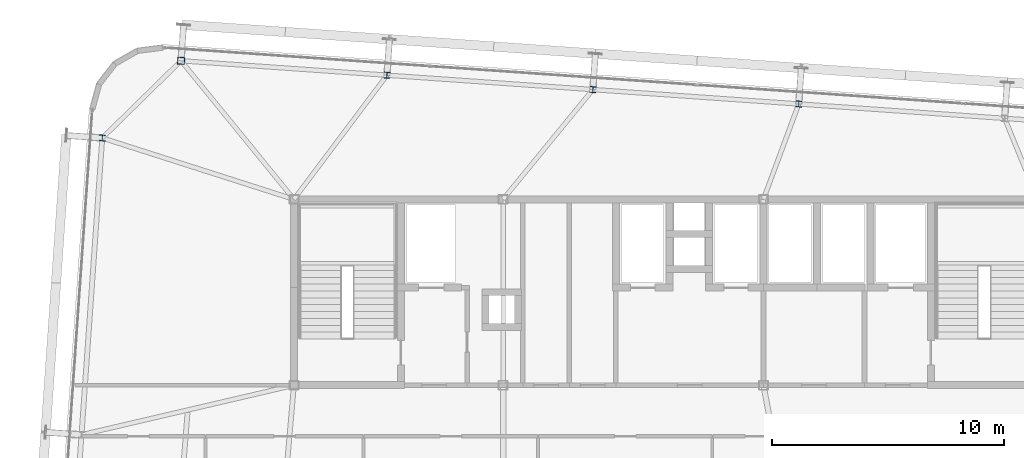
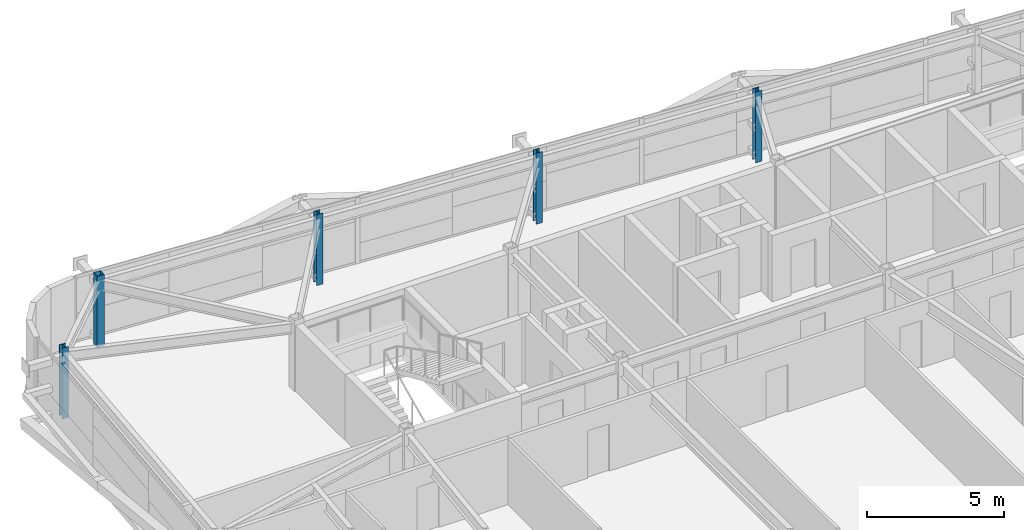
# One storey, part 4 of 39: 5 columns.
"""IFC4 building model written with IfcOpenShell, lengths in metres."""

from ifc_helpers import new_model, si_unit, direction, frame, origin, origin_2d, place, context, subcontext, project, spatial, hollow_rectangle, i_section, extrude, source, transform, mapped, material, material_profile, profile_set, type_object, element, save


model = new_model("IFC4")

# Units and contexts
model_context = context("Model", 3, precision=1e-05, world=origin(), true_north=direction((0.0, 1.0)))
body_context = subcontext(model_context, "Body", "Model", "MODEL_VIEW")
ifc_project = project(units=[si_unit("LENGTHUNIT", "METRE"), si_unit("AREAUNIT", "SQUARE_METRE"), si_unit("VOLUMEUNIT", "CUBIC_METRE"), si_unit("PLANEANGLEUNIT", "RADIAN"), si_unit("MASSUNIT", "GRAM", prefix="KILO")], contexts=[model_context])

# Site, building, storey
site_placement = place(None, origin())
site = spatial("IfcSite", under=ifc_project, at=site_placement, CompositionType="ELEMENT")
building_placement = place(site_placement, origin())
building = spatial("IfcBuilding", under=site, at=building_placement, Name="Taldren Reach Tower", CompositionType="ELEMENT")
storey_placement = place(building_placement, frame((0.0, 0.0, 133.0)))
storey = spatial("IfcBuildingStorey", under=building, at=storey_placement, Name="L40", CompositionType="ELEMENT", Elevation=133.0)

# Columns
ifc_material_1 = material(Name="Steel Gr 450 (C450L0)", Category="steel")
ifc_material_profile_1 = material_profile(ifc_material_1, hollow_rectangle(XDim=0.300048828125, YDim=0.300048828125, WallThickness=0.012451171875, at=origin_2d()), Name="300x300x12.5SHS")
ifc_profile_set_1 = profile_set([ifc_material_profile_1], Name="Steel Gr 450 (C450L0)")
column_type_1 = type_object("IfcColumnType", Name="COL-SHS300", PredefinedType="COLUMN", material=ifc_profile_set_1)
shared_shape_1 = source(origin(), body_context, "Body", "SweptSolid", [
    extrude(hollow_rectangle(XDim=0.300048828125, YDim=0.300048828125, WallThickness=0.012451171875, at=origin_2d()), origin(), (0.0, 0.0, 1.0), 3.14990234375),
])
column_placement = place(storey_placement, frame((14.14453125, 37.958740234375, 0.0), z_axis=(0.0, 0.0, 1.0), x_axis=(0.99756405026, -0.069756473744, 0.0)))
element("IfcColumn", 1, at=column_placement, inside=storey, type_object=column_type_1, Name="Block B3 perimeter column N1 L40", PredefinedType="COLUMN", context=body_context, shape_type="MappedRepresentation", body=[
    mapped(shared_shape_1, transform((0.0, 0.0, 0.0), scale=1.0)),
])
ifc_material_2 = material(Name="Steel Gr 350 (350PLUS)", Category="steel")
ifc_material_profile_2 = material_profile(ifc_material_2, i_section(OverallWidth=0.256103515625, OverallDepth=0.260009765625, WebThickness=0.010498046875, FlangeThickness=0.017333984375, at=origin_2d()), Name="250UC89.5")
ifc_profile_set_2 = profile_set([ifc_material_profile_2], Name="Steel Gr 350 (350PLUS)")
column_type_2 = type_object("IfcColumnType", Name="COL-UC250", PredefinedType="COLUMN", material=ifc_profile_set_2)
shared_shape_2 = source(origin(), body_context, "Body", "SweptSolid", [
    extrude(i_section(OverallWidth=0.256103515625, OverallDepth=0.260009765625, WebThickness=0.010498046875, FlangeThickness=0.017333984375, at=origin_2d()), origin(), (0.0, 0.0, 1.0), 3.14990234375),
])
for number, where, z_axis, x_axis, name in (
    (2, (23.0029296875, 37.33935546875, 0.0), (0.0, 0.0, 1.0), (0.99756405026, -0.069756473744, 0.0), "Block B3 perimeter column N2 L40"),
    (3, (31.861328125, 36.719970703125, 0.0), (0.0, 0.0, 1.0), (0.99756405026, -0.069756473744, 0.0), "Block B3 perimeter column N3 L40"),
    (4, (40.7197265625, 36.100341796875, 0.0), (0.0, 0.0, 1.0), (0.99756405026, -0.069756473744, 0.0), "Block B3 perimeter column N4 L40"),
    (5, (10.754638671875, 34.63720703125, 0.0), (0.0, 0.0, 1.0), (0.99756405026, -0.069756473744, 0.0), "Block B3 perimeter column W3 L40"),
):
    element("IfcColumn", number, at=place(storey_placement, frame(where, z_axis=z_axis, x_axis=x_axis)), inside=storey, type_object=column_type_2, Name=name, PredefinedType="COLUMN", context=body_context, shape_type="MappedRepresentation", body=[
        mapped(shared_shape_2, transform((0.0, 0.0, 0.0), scale=1.0)),
    ])

save(model, "model.ifc")
